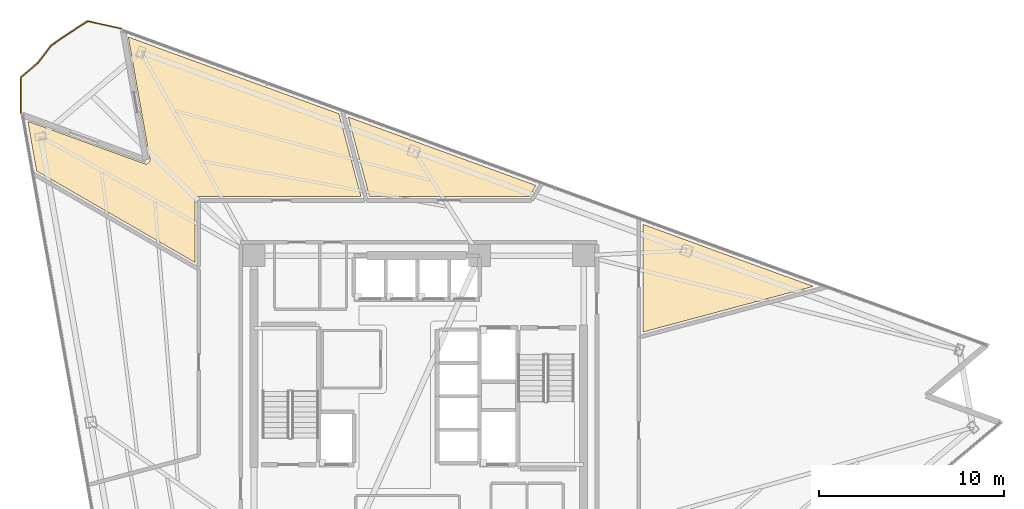
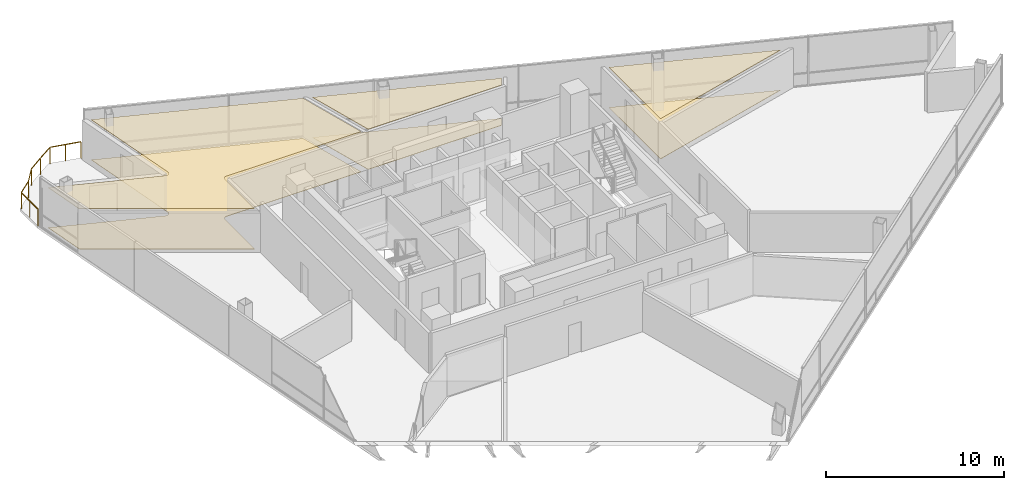
# One storey, part 15 of 15: 6 coverings, 1 railing.
"""IFC4 building model written with IfcOpenShell, lengths in metres."""

import ifcopenshell
import ifcopenshell.guid

model = None  # the IFC model being written
_history = None  # IfcOwnerHistory: only IFC2X3 demands one
_inside = {}  # id of a spatial element -> (the spatial element, [elements in it])
_under = {}  # id of a project, library or spatial element -> (it, [spatial elements below it])
_declared = {}  # id of a project -> (the project, [libraries it declares])
_typed = {}  # id of a type object -> (the type object, [elements of that type])
_made_of = {}  # id of a material, layer set ... -> (it, [elements and type objects made of it])


def new_model(schema):
    """Start an empty IFC model of exactly this schema.

    Asked for "IFC4X3", IfcOpenShell would pick the latest addendum, in which some entities
    have other attributes; the version numbers below select the first issue.
    IFC2X3 requires an IfcOwnerHistory on every rooted entity: one is made here for all.
    """
    global model, _history
    if schema == "IFC4X3":
        model = ifcopenshell.file(schema_version=(4, 3, 0, 0))
    else:
        model = ifcopenshell.file(schema=schema)
    _inside.clear()
    _under.clear()
    _declared.clear()
    _typed.clear()
    _made_of.clear()
    _history = None
    if model.schema == "IFC2X3":
        org = make("IfcOrganization", Name="unknown")
        user = make(
            "IfcPersonAndOrganization",
            ThePerson=make("IfcPerson", FamilyName="unknown"),
            TheOrganization=org,
        )
        app = make(
            "IfcApplication",
            ApplicationDeveloper=org,
            Version="unknown",
            ApplicationFullName="unknown",
            ApplicationIdentifier="unknown",
        )
        _history = make(
            "IfcOwnerHistory",
            OwningUser=user,
            OwningApplication=app,
            ChangeAction="ADDED",
            CreationDate=0,
        )
    return model


def make(cls, **values):
    """One entity of the class cls with the attributes given. An attribute that is None is left unset."""
    return model.create_entity(
        cls, **{name: value for name, value in values.items() if value is not None}
    )


def rooted(cls, **values):
    """An entity with a GlobalId (a new one), such as an element, a storey or a relation."""
    return make(cls, GlobalId=ifcopenshell.guid.new(), OwnerHistory=_history, **values)


def si_unit(unit_type, name, prefix=None):
    """IfcSIUnit, for example si_unit("LENGTHUNIT", "METRE", prefix="MILLI")."""
    return make("IfcSIUnit", UnitType=unit_type, Prefix=prefix, Name=name)


def assignment(units):
    """IfcUnitAssignment: the units of a project."""
    return None if units is None else make("IfcUnitAssignment", Units=units)


def point(xyz):
    """IfcCartesianPoint."""
    return None if xyz is None else make("IfcCartesianPoint", Coordinates=xyz)


def direction(xyz):
    """IfcDirection."""
    return None if xyz is None else make("IfcDirection", DirectionRatios=xyz)


def frame(location, z_axis=None, x_axis=None):
    """IfcAxis2Placement3D, a coordinate frame: its origin and axes. An axis left out is left unset."""
    return make(
        "IfcAxis2Placement3D",
        Location=point(location),
        Axis=direction(z_axis),
        RefDirection=direction(x_axis),
    )


def frame_2d(location, x_axis=None):
    """IfcAxis2Placement2D, a coordinate frame in the plane: its origin and x axis."""
    return make(
        "IfcAxis2Placement2D", Location=point(location), RefDirection=direction(x_axis)
    )


def origin():
    """The frame at (0, 0, 0) with its axes left unset."""
    return frame((0.0, 0.0, 0.0))


def origin_2d():
    """The frame at (0, 0) in the plane with its x axis left unset."""
    return frame_2d((0.0, 0.0))


def place(relative_to, where):
    """IfcLocalPlacement: puts the frame where relative to a parent placement (None: the world)."""
    return make(
        "IfcLocalPlacement", PlacementRelTo=relative_to, RelativePlacement=where
    )


def context(
    kind, dimensions, precision=None, world=None, true_north=None, identifier=None
):
    """IfcGeometricRepresentationContext, for example the 3D "Model" context."""
    return make(
        "IfcGeometricRepresentationContext",
        ContextIdentifier=identifier,
        ContextType=kind,
        CoordinateSpaceDimension=dimensions,
        Precision=precision,
        WorldCoordinateSystem=world,
        TrueNorth=true_north,
    )


def subcontext(parent, identifier, kind, view, scale=None):
    """IfcGeometricRepresentationSubContext, for example "Body" below "Model"."""
    return make(
        "IfcGeometricRepresentationSubContext",
        ContextIdentifier=identifier,
        ContextType=kind,
        ParentContext=parent,
        TargetScale=scale,
        TargetView=view,
    )


def project(units=None, contexts=None):
    """IfcProject with its units and contexts."""
    return rooted(
        "IfcProject",
        Name="project",
        RepresentationContexts=contexts,
        UnitsInContext=assignment(units),
    )


def spatial(cls, under=None, at=None, **own):
    """A site, building, storey or space (cls), placed at a placement, below another one or the project."""
    s = rooted(cls, ObjectPlacement=at, **own)
    if under is not None:
        _under.setdefault(under.id(), (under, []))[1].append(s)
    return s


def polyline(points):
    """IfcPolyline through the points."""
    return make("IfcPolyline", Points=[point(p) for p in points])


def profile(cls, at=None, kind="AREA", **sizes):
    """A parametric profile (cls). Its sizes go by their IFC names, for example OverallWidth=200.0."""
    return make(cls, ProfileType=kind, Position=at, **sizes)


def rectangle(**sizes):
    """IfcRectangleProfileDef."""
    return profile("IfcRectangleProfileDef", **sizes)


def outline(outer, holes=None, kind="AREA"):
    """IfcArbitraryClosedProfileDef: a profile drawn as a closed curve; with holes, ...WithVoids."""
    if holes is None:
        return make("IfcArbitraryClosedProfileDef", ProfileType=kind, OuterCurve=outer)
    return make(
        "IfcArbitraryProfileDefWithVoids",
        ProfileType=kind,
        OuterCurve=outer,
        InnerCurves=holes,
    )


def extrude(swept, where, along, depth):
    """IfcExtrudedAreaSolid: the profile swept, set in the frame where, extruded along a direction by depth."""
    return make(
        "IfcExtrudedAreaSolid",
        SweptArea=swept,
        Position=where,
        ExtrudedDirection=direction(along),
        Depth=depth,
    )


def shape(context_of_items, identifier, shape_type, items):
    """IfcShapeRepresentation: the items that make up one representation, for example the "Body"."""
    return make(
        "IfcShapeRepresentation",
        ContextOfItems=context_of_items,
        RepresentationIdentifier=identifier,
        RepresentationType=shape_type,
        Items=items,
    )


def material(Name=None, Category=None):
    """IfcMaterial."""
    return make("IfcMaterial", Name=Name, Category=Category)


def layer(
    of_material, thickness, ventilated=None, Name=None, Category=None, Priority=None
):
    """IfcMaterialLayer: one layer of a wall or slab, of a material (None: an air gap)."""
    return make(
        "IfcMaterialLayer",
        Material=of_material,
        LayerThickness=thickness,
        IsVentilated=ventilated,
        Name=Name,
        Category=Category,
        Priority=Priority,
    )


def layer_set(layers, Name=None):
    """IfcMaterialLayerSet."""
    return make("IfcMaterialLayerSet", MaterialLayers=layers, LayerSetName=Name)


def made_of(thing, what):
    """Note that an element or type object is made of a material, layer set ...; save() writes the relation."""
    if what is not None:
        _made_of.setdefault(what.id(), (what, []))[1].append(thing)
    return thing


def type_object(cls, material=None, **own):
    """A type object (cls), such as IfcWallType, which elements share."""
    return made_of(rooted(cls, **own), material)


def element(
    cls,
    number,
    at=None,
    inside=None,
    cuts=None,
    type_object=None,
    material=None,
    context=None,
    identifier="Body",
    shape_type=None,
    held_by="IfcProductDefinitionShape",
    body=None,
    shapes=None,
    **own,
):
    """One element of the class cls, such as IfcWall. Its Tag is "e" and its number.

    at: its placement. inside: the storey or other place that contains it. cuts: it is an
    opening in that element (IfcRelVoidsElement). A single representation is given by context,
    identifier, shape_type and body (its items); several are given by shapes. held_by: the class
    of the entity that holds the representations. save() writes the other relations.
    """
    e = rooted(cls, Tag="e%d" % number, ObjectPlacement=at, **own)
    if body is not None:
        shapes = [shape(context, identifier, shape_type, body)]
    if shapes is not None:
        e.Representation = make(held_by, Representations=shapes)
    if inside is not None:
        _inside.setdefault(inside.id(), (inside, []))[1].append(e)
    if cuts is not None:
        rooted(
            "IfcRelVoidsElement", RelatingBuildingElement=cuts, RelatedOpeningElement=e
        )
    if type_object is not None:
        _typed.setdefault(type_object.id(), (type_object, []))[1].append(e)
    return made_of(e, material)


def aggregate(whole, parts):
    """IfcRelAggregates: a whole, such as a stair, and the parts it consists of."""
    return rooted("IfcRelAggregates", RelatingObject=whole, RelatedObjects=parts)


def save(model, path):
    """Write the relations noted so far, then the file.

    IfcRelAggregates (storeys below a building ...), IfcRelContainedInSpatialStructure (elements
    in a storey), IfcRelDefinesByType, IfcRelAssociatesMaterial and IfcRelDeclares: one each for
    every whole, place, type object, material and project.
    """
    for whole, parts in _under.values():
        aggregate(whole, parts)
    for where, things in _inside.values():
        rooted(
            "IfcRelContainedInSpatialStructure",
            RelatedElements=things,
            RelatingStructure=where,
        )
    for kind, things in _typed.values():
        rooted("IfcRelDefinesByType", RelatedObjects=things, RelatingType=kind)
    for what, things in _made_of.values():
        rooted("IfcRelAssociatesMaterial", RelatedObjects=things, RelatingMaterial=what)
    for by, libraries in _declared.values():
        rooted("IfcRelDeclares", RelatingContext=by, RelatedDefinitions=libraries)
    model.write(path)


model = new_model("IFC4")

# Units and contexts
model_context = context("Model", 3, precision=1e-05, world=origin(), true_north=direction((0.0, 1.0)))
body_context = subcontext(model_context, "Body", "Model", "MODEL_VIEW")
ifc_project = project(units=[si_unit("LENGTHUNIT", "METRE"), si_unit("AREAUNIT", "SQUARE_METRE"), si_unit("VOLUMEUNIT", "CUBIC_METRE"), si_unit("PLANEANGLEUNIT", "RADIAN"), si_unit("MASSUNIT", "GRAM", prefix="KILO")], contexts=[model_context])

# Site, building, storey
site_placement = place(None, origin())
site = spatial("IfcSite", under=ifc_project, at=site_placement, CompositionType="ELEMENT")
building_placement = place(site_placement, origin())
building = spatial("IfcBuilding", under=site, at=building_placement, Name="Tharavind Bronze Gate", CompositionType="ELEMENT")
storey_placement = place(building_placement, frame((0.0, 0.0, 177.699951171875)))
storey = spatial("IfcBuildingStorey", under=building, at=storey_placement, Name="L45", CompositionType="ELEMENT", Elevation=177.699951171875)

# Coverings
ifc_material_1 = material(Name="Perforated Bronze Acoustic Panel", Category="bronze")
ifc_layer_1 = layer(ifc_material_1, 0.044921875)
ifc_layer_set_1 = layer_set([ifc_layer_1], Name="Perforated Bronze Acoustic Panel")
covering_type_1 = type_object("IfcCoveringType", Name="ACOUSTIC BRONZE BAFFLE CEILING", PredefinedType="CEILING", material=ifc_layer_set_1)
covering_1_placement = place(storey_placement, frame((0.0, 0.0, 2.75)))
element("IfcCovering", 1, at=covering_1_placement, inside=storey, type_object=covering_type_1, Name="L45-RM-02 suspended ceiling", PredefinedType="CEILING", context=body_context, shape_type="SweptSolid", body=[
    extrude(outline(polyline([(-2.666015625, 10.800048828125), (5.981201171875, 10.800048828125), (6.32421875, 11.3935546875), (-3.81396484375, 15.08349609375), (-2.666015625, 10.800048828125)])), origin(), (0.0, 0.0, 1.0), 0.03515625),
])
ifc_material_2 = material(Name="Engineered Oak & Carpet Tile", Category="wood")
ifc_layer_2 = layer(ifc_material_2, 0.02490234375)
ifc_layer_set_2 = layer_set([ifc_layer_2], Name="Engineered Oak & Carpet Tile")
covering_type_2 = type_object("IfcCoveringType", Name="ENGINEERED TIMBER FLOORING", PredefinedType="FLOORING", material=ifc_layer_set_2)
covering_2_placement = place(storey_placement, origin())
element("IfcCovering", 2, at=covering_2_placement, inside=storey, type_object=covering_type_2, Name="L45-RM-01 floor finish", PredefinedType="FLOORING", context=body_context, shape_type="SweptSolid", body=[
    extrude(outline(polyline([(12.10009765625, 3.469970703125), (21.312255859375, 5.9384765625), (12.10009765625, 9.29150390625), (12.10009765625, 3.469970703125)])), origin(), (0.0, 0.0, 1.0), 0.025146484375),
])
covering_3_placement = place(storey_placement, origin())
element("IfcCovering", 3, at=covering_3_placement, inside=storey, type_object=covering_type_2, Name="L45-RM-02 floor finish", PredefinedType="FLOORING", context=body_context, shape_type="SweptSolid", body=[
    extrude(outline(polyline([(-2.666015625, 10.800048828125), (5.981201171875, 10.800048828125), (6.32421875, 11.3935546875), (-3.81396484375, 15.08349609375), (-2.666015625, 10.800048828125)])), origin(), (0.0, 0.0, 1.0), 0.025146484375),
])
covering_4_placement = place(storey_placement, origin())
element("IfcCovering", 4, at=covering_4_placement, inside=storey, type_object=covering_type_2, Name="L45-RM-03 floor finish", PredefinedType="FLOORING", context=body_context, shape_type="SweptSolid", body=[
    extrude(outline(polyline([(-20.640380859375, 12.1708984375), (-12.10009765625, 7.239990234375), (-12.10009765625, 10.579345703125), (-12.099609375, 10.590087890625), (-12.099609375, 10.5908203125), (-12.09765625, 10.6123046875), (-12.093505859375, 10.63330078125), (-12.087158203125, 10.654052734375), (-12.078857421875, 10.674072265625), (-12.068603515625, 10.693115234375), (-12.056640625, 10.7109375), (-12.04296875, 10.727783203125), (-12.027587890625, 10.742919921875), (-12.010986328125, 10.756591796875), (-11.9931640625, 10.768798828125), (-11.97412109375, 10.77880859375), (-11.9541015625, 10.787109375), (-11.933349609375, 10.79345703125), (-11.912353515625, 10.797607421875), (-11.890869140625, 10.7998046875), (-11.89013671875, 10.7998046875), (-11.87939453125, 10.800048828125), (-3.12158203125, 10.800048828125), (-4.318603515625, 15.267333984375), (-15.690185546875, 19.40625), (-14.527099609375, 12.8095703125), (-14.525390625, 12.798828125), (-14.525390625, 12.798095703125), (-14.523681640625, 12.7763671875), (-14.5244140625, 12.75439453125), (-14.527099609375, 12.732666015625), (-14.531982421875, 12.711181640625), (-14.538818359375, 12.6904296875), (-14.5478515625, 12.67041015625), (-14.558837890625, 12.651611328125), (-14.571533203125, 12.6337890625), (-14.586181640625, 12.6171875), (-14.602294921875, 12.602294921875), (-14.61962890625, 12.589111328125), (-14.638427734375, 12.57763671875), (-14.658203125, 12.568115234375), (-14.6787109375, 12.560546875), (-14.699951171875, 12.55517578125), (-14.7216796875, 12.552001953125), (-14.74365234375, 12.55078125), (-14.765380859375, 12.552001953125), (-14.787109375, 12.55517578125), (-14.80859375, 12.560546875), (-14.80908203125, 12.560791015625), (-14.8193359375, 12.564208984375), (-21.114013671875, 14.855224609375), (-20.640380859375, 12.1708984375)])), origin(), (0.0, 0.0, 1.0), 0.025146484375),
])
ifc_material_3 = material(Name="Acoustic Gypsum Board", Category="gypsum")
ifc_layer_3 = layer(ifc_material_3, 0.030029296875)
ifc_layer_set_3 = layer_set([ifc_layer_3], Name="Acoustic Gypsum Board")
covering_type_3 = type_object("IfcCoveringType", Name="GYPSUM SUSPENDED CEILING", PredefinedType="CEILING", material=ifc_layer_set_3)
covering_5_placement = place(storey_placement, frame((0.0, 0.0, 2.75)))
element("IfcCovering", 5, at=covering_5_placement, inside=storey, type_object=covering_type_3, Name="L45-RM-01 suspended ceiling", PredefinedType="CEILING", context=body_context, shape_type="SweptSolid", body=[
    extrude(outline(polyline([(12.10009765625, 3.469970703125), (21.312255859375, 5.9384765625), (12.10009765625, 9.29150390625), (12.10009765625, 3.469970703125)])), origin(), (0.0, 0.0, 1.0), 0.03515625),
])
covering_6_placement = place(storey_placement, frame((0.0, 0.0, 2.75)))
element("IfcCovering", 6, at=covering_6_placement, inside=storey, type_object=covering_type_3, Name="L45-RM-03 suspended ceiling", PredefinedType="CEILING", context=body_context, shape_type="SweptSolid", body=[
    extrude(outline(polyline([(-20.640380859375, 12.1708984375), (-12.10009765625, 7.239990234375), (-12.10009765625, 10.579345703125), (-12.099609375, 10.590087890625), (-12.099609375, 10.5908203125), (-12.09765625, 10.6123046875), (-12.093505859375, 10.63330078125), (-12.087158203125, 10.654052734375), (-12.078857421875, 10.674072265625), (-12.068603515625, 10.693115234375), (-12.056640625, 10.7109375), (-12.04296875, 10.727783203125), (-12.027587890625, 10.742919921875), (-12.010986328125, 10.756591796875), (-11.9931640625, 10.768798828125), (-11.97412109375, 10.77880859375), (-11.9541015625, 10.787109375), (-11.933349609375, 10.79345703125), (-11.912353515625, 10.797607421875), (-11.890869140625, 10.7998046875), (-11.89013671875, 10.7998046875), (-11.87939453125, 10.800048828125), (-3.12158203125, 10.800048828125), (-4.318603515625, 15.267333984375), (-15.690185546875, 19.40625), (-14.527099609375, 12.8095703125), (-14.525390625, 12.798828125), (-14.525390625, 12.798095703125), (-14.523681640625, 12.7763671875), (-14.5244140625, 12.75439453125), (-14.527099609375, 12.732666015625), (-14.531982421875, 12.711181640625), (-14.538818359375, 12.6904296875), (-14.5478515625, 12.67041015625), (-14.558837890625, 12.651611328125), (-14.571533203125, 12.6337890625), (-14.586181640625, 12.6171875), (-14.602294921875, 12.602294921875), (-14.61962890625, 12.589111328125), (-14.638427734375, 12.57763671875), (-14.658203125, 12.568115234375), (-14.6787109375, 12.560546875), (-14.699951171875, 12.55517578125), (-14.7216796875, 12.552001953125), (-14.74365234375, 12.55078125), (-14.765380859375, 12.552001953125), (-14.787109375, 12.55517578125), (-14.80859375, 12.560546875), (-14.80908203125, 12.560791015625), (-14.8193359375, 12.564208984375), (-21.114013671875, 14.855224609375), (-20.640380859375, 12.1708984375)])), origin(), (0.0, 0.0, 1.0), 0.03515625),
])

# Railing
ifc_material_4 = material(Name="Bronze Cap & Laminated Glass", Category="glass")
railing_type = type_object("IfcRailingType", Name="TERRACE GLASS GUARD RAILING 1150", PredefinedType="GUARDRAIL", material=ifc_material_4)
railing_placement = place(storey_placement, frame((-21.49951171875, 15.31494140625, 0.0)))
element("IfcRailing", 7, at=railing_placement, inside=storey, type_object=railing_type, Name="L45 tree balcony guard railing", PredefinedType="GUARDRAIL", context=body_context, shape_type="SweptSolid", body=[
    extrude(rectangle(XDim=0.048095703125, YDim=0.048095703125, at=origin_2d()), frame((0.000244140625, 0.031982421875, 1.1259765625), z_axis=(0.006244302881, 0.999980504151, 0.0), x_axis=(-0.999980504151, 0.006244302881, 0.0)), (0.0, 0.0, 1.0), 1.851806640625),
    extrude(rectangle(XDim=0.048095703125, YDim=0.048095703125, at=origin_2d()), frame((0.036376953125, 1.936279296875, 1.1259765625), z_axis=(0.765977892633, 0.642866913131, 0.0), x_axis=(-0.642866913131, 0.765977892633, 0.0)), (0.0, 0.0, 1.0), 1.115966796875),
    extrude(rectangle(XDim=0.048095703125, YDim=0.048095703125, at=origin_2d()), frame((0.935302734375, 2.69970703125, 1.1259765625), z_axis=(0.609749815727, 0.79259394536, 0.0), x_axis=(-0.79259394536, 0.609749815727, 0.0)), (0.0, 0.0, 1.0), 1.144287109375),
    extrude(rectangle(XDim=0.048095703125, YDim=0.048095703125, at=origin_2d()), frame((1.678955078125, 3.650146484375, 1.1259765625), z_axis=(0.823524708497, 0.567280402001, 0.0), x_axis=(-0.567280402001, 0.823524708497, 0.0)), (0.0, 0.0, 1.0), 1.121337890625),
    extrude(rectangle(XDim=0.048095703125, YDim=0.048095703125, at=origin_2d()), frame((2.655517578125, 4.32177734375, 1.1259765625), z_axis=(0.840015987987, 0.5425616462, 0.0), x_axis=(-0.5425616462, 0.840015987987, 0.0)), (0.0, 0.0, 1.0), 1.125244140625),
    extrude(rectangle(XDim=0.048095703125, YDim=0.048095703125, at=origin_2d()), frame((3.658935546875, 4.94287109375, 1.1259765625), z_axis=(0.976205791901, -0.216846147902, 0.0), x_axis=(0.216846147902, 0.976205791901, 0.0)), (0.0, 0.0, 1.0), 1.775634765625),
    extrude(rectangle(XDim=0.0400390625, YDim=0.0400390625, at=origin_2d()), origin(), (0.0, 0.0, 1.0), 1.097900390625),
    extrude(rectangle(XDim=0.0400390625, YDim=0.0400390625, at=origin_2d()), frame((0.005859375, 0.9580078125, 0.0)), (0.0, 0.0, 1.0), 1.097900390625),
    extrude(rectangle(XDim=0.0400390625, YDim=0.0400390625, at=origin_2d()), frame((0.011962890625, 1.915771484375, 0.0)), (0.0, 0.0, 1.0), 1.097900390625),
    extrude(rectangle(XDim=0.0400390625, YDim=0.0400390625, at=origin_2d()), frame((0.915771484375, 2.67431640625, 0.0)), (0.0, 0.0, 1.0), 1.097900390625),
    extrude(rectangle(XDim=0.0400390625, YDim=0.0400390625, at=origin_2d()), frame((1.652587890625, 3.632080078125, 0.0)), (0.0, 0.0, 1.0), 1.097900390625),
    extrude(rectangle(XDim=0.0400390625, YDim=0.0400390625, at=origin_2d()), frame((2.628662109375, 4.304443359375, 0.0)), (0.0, 0.0, 1.0), 1.097900390625),
    extrude(rectangle(XDim=0.0400390625, YDim=0.0400390625, at=origin_2d()), frame((3.627685546875, 4.94970703125, 0.0)), (0.0, 0.0, 1.0), 1.097900390625),
    extrude(rectangle(XDim=0.0400390625, YDim=0.0400390625, at=origin_2d()), frame((4.525634765625, 4.750244140625, 0.0)), (0.0, 0.0, 1.0), 1.097900390625),
    extrude(rectangle(XDim=0.0400390625, YDim=0.0400390625, at=origin_2d()), frame((5.423583984375, 4.55078125, 0.0)), (0.0, 0.0, 1.0), 1.097900390625),
])

save(model, "model.ifc")
